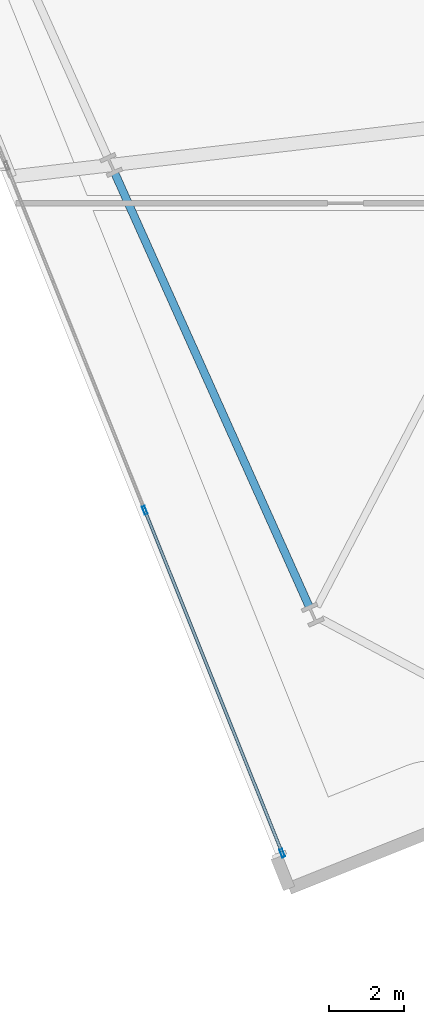
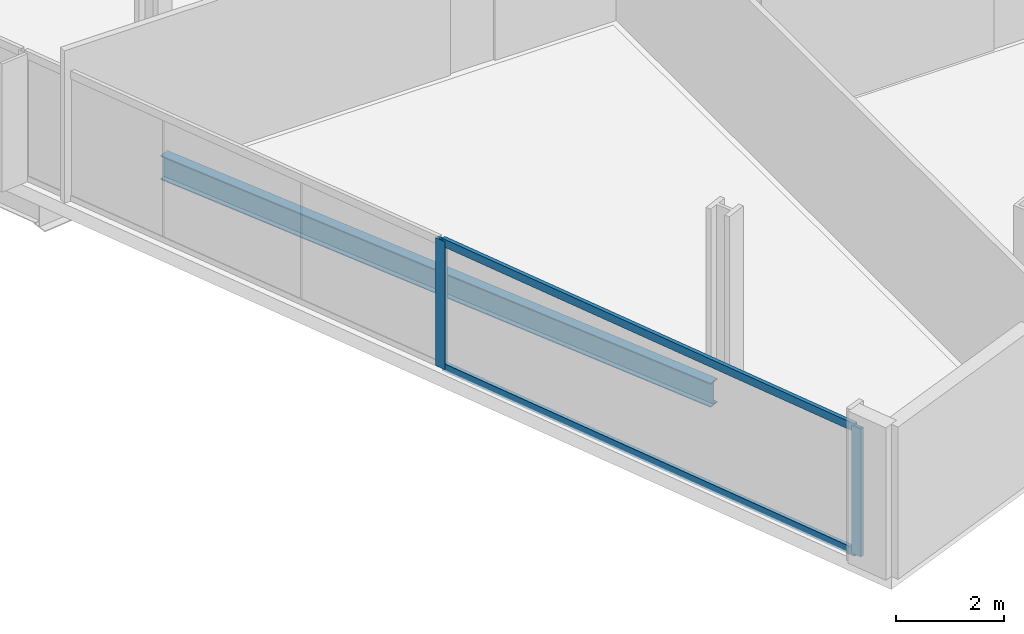
# One storey, part 2 of 33: 4 members, 1 beam, 1 element without a shape of its own.
"""IFC4 building model written with IfcOpenShell, lengths in metres."""

from ifc_helpers import new_model, si_unit, direction, frame, origin, origin_2d, place, context, subcontext, project, spatial, hollow_rectangle, i_section, extrude, material, material_profile, profile_set, type_object, element, aggregate, save


model = new_model("IFC4")

# Units and contexts
model_context = context("Model", 3, precision=1e-05, world=origin(), true_north=direction((0.0, 1.0)))
body_context = subcontext(model_context, "Body", "Model", "MODEL_VIEW")
ifc_project = project(units=[si_unit("LENGTHUNIT", "METRE"), si_unit("AREAUNIT", "SQUARE_METRE"), si_unit("VOLUMEUNIT", "CUBIC_METRE"), si_unit("PLANEANGLEUNIT", "RADIAN"), si_unit("MASSUNIT", "GRAM", prefix="KILO")], contexts=[model_context])

# Site, building, storey
site_placement = place(None, origin())
site = spatial("IfcSite", under=ifc_project, at=site_placement, CompositionType="ELEMENT")
building_placement = place(site_placement, origin())
building = spatial("IfcBuilding", under=site, at=building_placement, Name="Haldenkirk Collegiate Tower", CompositionType="ELEMENT")
storey_placement = place(building_placement, frame((0.0, 0.0, 101.699951171875)))
storey = spatial("IfcBuildingStorey", under=building, at=storey_placement, Name="L24", CompositionType="ELEMENT", Elevation=101.699951171875)

# Beam
ifc_material_1 = material(Name="Steel ASTM A992 Grade 50", Category="steel")
ifc_material_profile_1 = material_profile(ifc_material_1, i_section(OverallWidth=0.2119140625, OverallDepth=0.5439453125, WebThickness=0.01318359375, FlangeThickness=0.021240234375, at=origin_2d()), Name="W21X83")
ifc_profile_set_1 = profile_set([ifc_material_profile_1], Name="Steel ASTM A992 Grade 50")
beam_type = type_object("IfcBeamType", Name="BM-SPANDREL-W21X83", PredefinedType="SPANDREL", material=ifc_profile_set_1)
beam_placement = place(storey_placement, frame((14.742919921875, 16.3369140625, -0.572021484375), z_axis=(0.409131045523, -0.91247563671, 0.0), x_axis=(0.91247563671, 0.409131045523, 0.0)))
element("IfcBeam", 1, at=beam_placement, inside=storey, type_object=beam_type, Name="L24 perimeter spandrel beam 15", PredefinedType="SPANDREL", context=body_context, shape_type="SweptSolid", body=[
    extrude(i_section(OverallWidth=0.2119140625, OverallDepth=0.5439453125, WebThickness=0.01318359375, FlangeThickness=0.021240234375, at=origin_2d()), origin(), (0.0, 0.0, 1.0), 12.593994140625),
])

# Curtain wall, members
ifc_material_2 = material(Name="Anodised architectural bronze aluminium", Category="aluminium")
curtain_wall_type = type_object("IfcCurtainWallType", Name="CW-SYS1-CONVEX-LOW", PredefinedType="USERDEFINED", material=ifc_material_2)
curtain_wall_placement = place(storey_placement, origin())
curtain_wall = element("IfcCurtainWall", 2, at=curtain_wall_placement, inside=storey, type_object=curtain_wall_type, Name="L24 Lower tower convex bronze-framed unitised curtain wall", ObjectType="UNITISED CURTAIN WALL", PredefinedType="USERDEFINED")
ifc_material_profile_2 = material_profile(ifc_material_2, hollow_rectangle(XDim=0.080078125, YDim=0.219970703125, WallThickness=0.0048828125, at=origin_2d()), Name="CW-MUL-1A")
ifc_profile_set_2 = profile_set([ifc_material_profile_2], Name="Anodised architectural bronze aluminium")
member_type_1 = type_object("IfcMemberType", Name="CW-MUL-1A", PredefinedType="MULLION", material=ifc_profile_set_2)
member_1_placement = place(storey_placement, frame((19.1845703125, -1.708984375, 0.0), z_axis=(0.0, 0.0, 1.0), x_axis=(-0.928162513726, -0.372175157841, 0.0)))
member_1 = element("IfcMember", 3, at=member_1_placement, type_object=member_type_1, Name="CW-1A mullion 1", PredefinedType="MULLION", context=body_context, shape_type="SweptSolid", body=[
    extrude(hollow_rectangle(XDim=0.080078125, YDim=0.219970703125, WallThickness=0.0048828125, at=origin_2d()), origin(), (0.0, 0.0, 1.0), 2.901123046875),
])
member_2_placement = place(storey_placement, frame((15.53369140625, 7.396484375, 0.0), z_axis=(0.0, 0.0, 1.0), x_axis=(-0.928162513726, -0.372175157841, 0.0)))
member_2 = element("IfcMember", 4, at=member_2_placement, type_object=member_type_1, Name="CW-1A mullion 2", PredefinedType="MULLION", context=body_context, shape_type="SweptSolid", body=[
    extrude(hollow_rectangle(XDim=0.080078125, YDim=0.219970703125, WallThickness=0.0048828125, at=origin_2d()), origin(), (0.0, 0.0, 1.0), 2.901123046875),
])
ifc_material_profile_3 = material_profile(ifc_material_2, hollow_rectangle(XDim=0.080078125, YDim=0.179931640625, WallThickness=0.0048828125, at=origin_2d()), Name="CW-TRN-1A")
ifc_profile_set_3 = profile_set([ifc_material_profile_3], Name="Anodised architectural bronze aluminium")
member_type_2 = type_object("IfcMemberType", Name="CW-TRN-1A", PredefinedType="USERDEFINED", material=ifc_profile_set_3)
member_3_placement = place(storey_placement, frame((19.169677734375, -1.671630859375, 0.0400390625), z_axis=(-0.372160605299, 0.928168348881, 0.0), x_axis=(-0.928168348881, -0.372160605299, 0.0)))
member_3 = element("IfcMember", 5, at=member_3_placement, type_object=member_type_2, Name="CW-1A transom 1.1", ObjectType="TRANSOM", PredefinedType="USERDEFINED", context=body_context, shape_type="SweptSolid", body=[
    extrude(hollow_rectangle(XDim=0.080078125, YDim=0.179931640625, WallThickness=0.0048828125, at=origin_2d()), origin(), (0.0, 0.0, 1.0), 9.72998046875),
])
member_4_placement = place(storey_placement, frame((19.169677734375, -1.671630859375, 2.861083984375), z_axis=(-0.372160605299, 0.928168348881, 0.0), x_axis=(-0.928168348881, -0.372160605299, 0.0)))
member_4 = element("IfcMember", 6, at=member_4_placement, type_object=member_type_2, Name="CW-1A transom 1.2", ObjectType="TRANSOM", PredefinedType="USERDEFINED", context=body_context, shape_type="SweptSolid", body=[
    extrude(hollow_rectangle(XDim=0.080078125, YDim=0.179931640625, WallThickness=0.0048828125, at=origin_2d()), origin(), (0.0, 0.0, 1.0), 9.72998046875),
])
aggregate(curtain_wall, [member_1, member_2, member_3, member_4])

save(model, "model.ifc")
